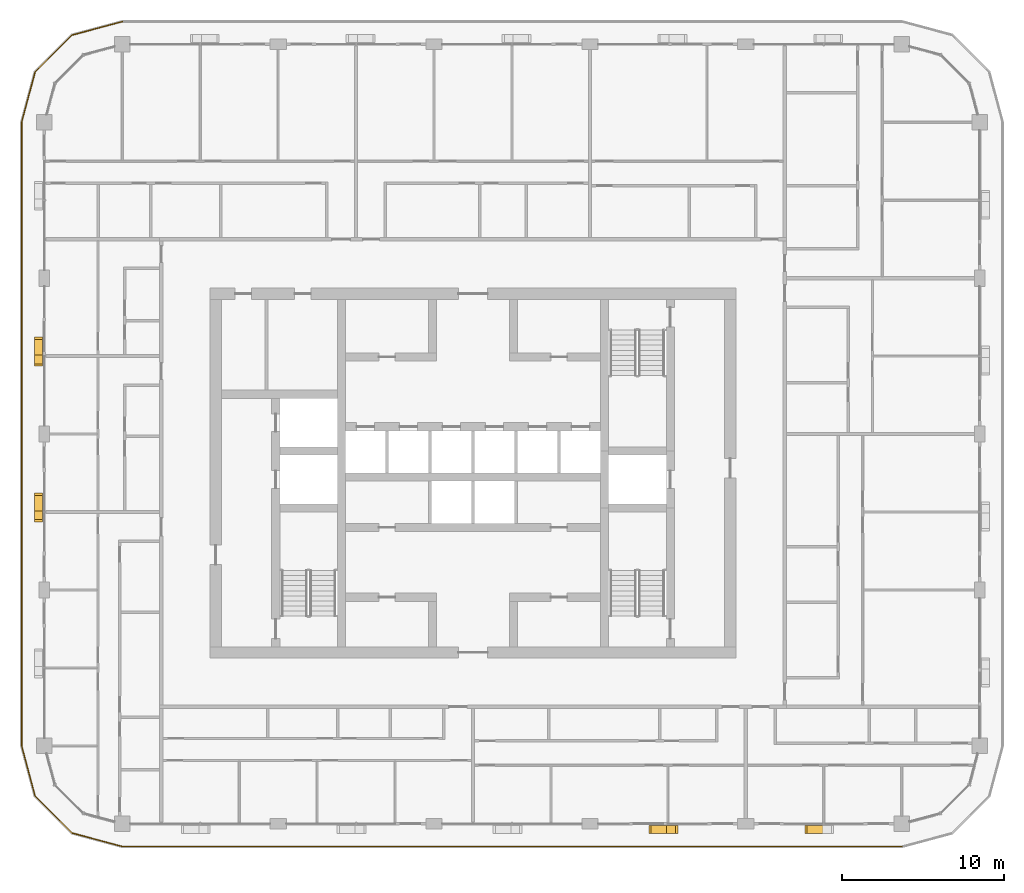
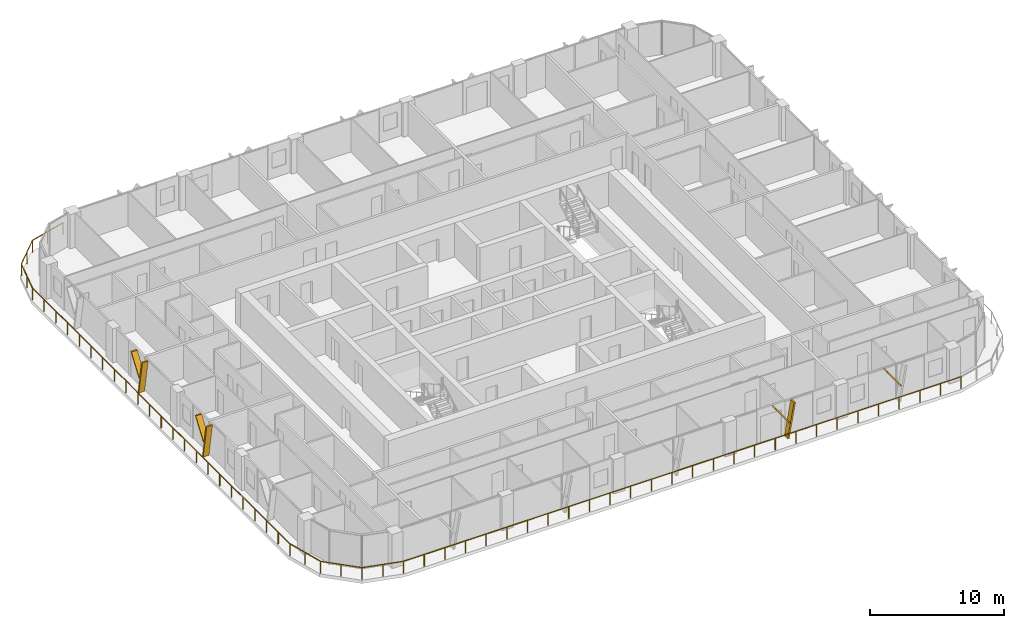
# One storey, part 18 of 22: 7 shading devices, 1 railing.
"""IFC4 building model written with IfcOpenShell, lengths in metres."""

from ifc_helpers import new_model, si_unit, direction, frame, origin, origin_2d, place, context, subcontext, project, spatial, polyline, circle, outline, extrude, material, type_object, element, save


model = new_model("IFC4")

# Units and contexts
model_context = context("Model", 3, precision=1e-05, world=origin(), true_north=direction((0.0, 1.0)))
body_context = subcontext(model_context, "Body", "Model", "MODEL_VIEW")
ifc_project = project(units=[si_unit("LENGTHUNIT", "METRE"), si_unit("AREAUNIT", "SQUARE_METRE"), si_unit("VOLUMEUNIT", "CUBIC_METRE"), si_unit("PLANEANGLEUNIT", "RADIAN"), si_unit("MASSUNIT", "GRAM", prefix="KILO")], contexts=[model_context])

# Site, building, storey
site_placement = place(None, origin())
site = spatial("IfcSite", under=ifc_project, at=site_placement, CompositionType="ELEMENT")
building_placement = place(site_placement, origin())
building = spatial("IfcBuilding", under=site, at=building_placement, Name="Madar Terraces", CompositionType="ELEMENT")
storey_placement = place(building_placement, frame((0.0, 0.0, 229.800048828125)))
storey = spatial("IfcBuildingStorey", under=building, at=storey_placement, Name="L60", CompositionType="ELEMENT", Elevation=229.800048828125)

# Railing
ifc_material_1 = material(Name="Glass, safety glazing, with stainless steel posts", Category="steel")
railing_type = type_object("IfcRailingType", Name="Balcony glass guard 1100", PredefinedType="GUARDRAIL", material=ifc_material_1)
railing_placement = place(storey_placement, frame((9.60009765625, 54.199951171875, 0.0)))
element("IfcRailing", 1, at=railing_placement, inside=storey, type_object=railing_type, Name="Balcony guard", PredefinedType="GUARDRAIL", context=body_context, shape_type="SweptSolid", body=[
    extrude(circle(Radius=0.02392578125, at=origin_2d()), frame((0.0, 0.0, 1.076171875), z_axis=(-0.9659337912, -0.258789317819, 0.0), x_axis=(0.258789317819, -0.9659337912, 0.0)), (0.0, 0.0, 1.0), 3.20947265625),
    extrude(circle(Radius=0.02392578125, at=origin_2d()), frame((-3.10009765625, -0.83056640625, 1.076171875), z_axis=(-0.707106781187, -0.707106781187, 0.0), x_axis=(0.707106781187, -0.707106781187, 0.0)), (0.0, 0.0, 1.0), 3.209228515625),
    extrude(circle(Radius=0.02392578125, at=origin_2d()), frame((-5.369384765625, -3.099853515625, 1.076171875), z_axis=(-0.258860290944, -0.965914773555, 0.0), x_axis=(0.965914773555, -0.258860290944, 0.0)), (0.0, 0.0, 1.0), 3.20947265625),
    extrude(circle(Radius=0.02392578125, at=origin_2d()), frame((-6.2001953125, -6.199951171875, 1.076171875), z_axis=(0.0, -1.0, 0.0), x_axis=(1.0, 0.0, 0.0)), (0.0, 0.0, 1.0), 38.39990234375),
    extrude(circle(Radius=0.02392578125, at=origin_2d()), frame((-6.2001953125, -44.599853515625, 1.076171875), z_axis=(0.258860290944, -0.965914773555, 0.0), x_axis=(0.965914773555, 0.258860290944, 0.0)), (0.0, 0.0, 1.0), 3.20947265625),
    extrude(circle(Radius=0.02392578125, at=origin_2d()), frame((-5.369384765625, -47.699951171875, 1.076171875), z_axis=(0.707106781187, -0.707106781187, 0.0), x_axis=(0.707106781187, 0.707106781187, 0.0)), (0.0, 0.0, 1.0), 3.209228515625),
    extrude(circle(Radius=0.02392578125, at=origin_2d()), frame((-3.10009765625, -49.96923828125, 1.076171875), z_axis=(0.965914773555, -0.258860290944, 0.0), x_axis=(0.258860290944, 0.965914773555, 0.0)), (0.0, 0.0, 1.0), 3.20947265625),
    extrude(circle(Radius=0.02392578125, at=origin_2d()), frame((0.0, -50.800048828125, 1.076171875), z_axis=(1.0, 0.0, 0.0), x_axis=(0.0, 1.0, 0.0)), (0.0, 0.0, 1.0), 48.0),
    extrude(circle(Radius=0.02099609375, at=origin_2d()), origin(), (0.0, 0.0, 1.0), 1.052001953125),
    extrude(circle(Radius=0.02099609375, at=origin_2d()), frame((-1.550048828125, -0.415283203125, 0.0)), (0.0, 0.0, 1.0), 1.052001953125),
    extrude(circle(Radius=0.02099609375, at=origin_2d()), frame((-3.10009765625, -0.83056640625, 0.0)), (0.0, 0.0, 1.0), 1.052001953125),
    extrude(circle(Radius=0.02099609375, at=origin_2d()), frame((-4.23486328125, -1.96533203125, 0.0)), (0.0, 0.0, 1.0), 1.052001953125),
    extrude(circle(Radius=0.02099609375, at=origin_2d()), frame((-5.369384765625, -3.099853515625, 0.0)), (0.0, 0.0, 1.0), 1.052001953125),
    extrude(circle(Radius=0.02099609375, at=origin_2d()), frame((-5.78466796875, -4.64990234375, 0.0)), (0.0, 0.0, 1.0), 1.052001953125),
    extrude(circle(Radius=0.02099609375, at=origin_2d()), frame((-6.2001953125, -6.199951171875, 0.0)), (0.0, 0.0, 1.0), 1.052001953125),
    extrude(circle(Radius=0.02099609375, at=origin_2d()), frame((-6.2001953125, -7.9453125, 0.0)), (0.0, 0.0, 1.0), 1.052001953125),
    extrude(circle(Radius=0.02099609375, at=origin_2d()), frame((-6.2001953125, -9.69091796875, 0.0)), (0.0, 0.0, 1.0), 1.052001953125),
    extrude(circle(Radius=0.02099609375, at=origin_2d()), frame((-6.2001953125, -11.436279296875, 0.0)), (0.0, 0.0, 1.0), 1.052001953125),
    extrude(circle(Radius=0.02099609375, at=origin_2d()), frame((-6.2001953125, -13.181640625, 0.0)), (0.0, 0.0, 1.0), 1.052001953125),
    extrude(circle(Radius=0.02099609375, at=origin_2d()), frame((-6.2001953125, -14.92724609375, 0.0)), (0.0, 0.0, 1.0), 1.052001953125),
    extrude(circle(Radius=0.02099609375, at=origin_2d()), frame((-6.2001953125, -16.672607421875, 0.0)), (0.0, 0.0, 1.0), 1.052001953125),
    extrude(circle(Radius=0.02099609375, at=origin_2d()), frame((-6.2001953125, -18.418212890625, 0.0)), (0.0, 0.0, 1.0), 1.052001953125),
    extrude(circle(Radius=0.02099609375, at=origin_2d()), frame((-6.2001953125, -20.16357421875, 0.0)), (0.0, 0.0, 1.0), 1.052001953125),
    extrude(circle(Radius=0.02099609375, at=origin_2d()), frame((-6.2001953125, -21.908935546875, 0.0)), (0.0, 0.0, 1.0), 1.052001953125),
    extrude(circle(Radius=0.02099609375, at=origin_2d()), frame((-6.2001953125, -23.654541015625, 0.0)), (0.0, 0.0, 1.0), 1.052001953125),
    extrude(circle(Radius=0.02099609375, at=origin_2d()), frame((-6.2001953125, -25.39990234375, 0.0)), (0.0, 0.0, 1.0), 1.052001953125),
    extrude(circle(Radius=0.02099609375, at=origin_2d()), frame((-6.2001953125, -27.145263671875, 0.0)), (0.0, 0.0, 1.0), 1.052001953125),
    extrude(circle(Radius=0.02099609375, at=origin_2d()), frame((-6.2001953125, -28.890869140625, 0.0)), (0.0, 0.0, 1.0), 1.052001953125),
    extrude(circle(Radius=0.02099609375, at=origin_2d()), frame((-6.2001953125, -30.63623046875, 0.0)), (0.0, 0.0, 1.0), 1.052001953125),
    extrude(circle(Radius=0.02099609375, at=origin_2d()), frame((-6.2001953125, -32.381591796875, 0.0)), (0.0, 0.0, 1.0), 1.052001953125),
    extrude(circle(Radius=0.02099609375, at=origin_2d()), frame((-6.2001953125, -34.127197265625, 0.0)), (0.0, 0.0, 1.0), 1.052001953125),
    extrude(circle(Radius=0.02099609375, at=origin_2d()), frame((-6.2001953125, -35.87255859375, 0.0)), (0.0, 0.0, 1.0), 1.052001953125),
    extrude(circle(Radius=0.02099609375, at=origin_2d()), frame((-6.2001953125, -37.6181640625, 0.0)), (0.0, 0.0, 1.0), 1.052001953125),
    extrude(circle(Radius=0.02099609375, at=origin_2d()), frame((-6.2001953125, -39.363525390625, 0.0)), (0.0, 0.0, 1.0), 1.052001953125),
    extrude(circle(Radius=0.02099609375, at=origin_2d()), frame((-6.2001953125, -41.10888671875, 0.0)), (0.0, 0.0, 1.0), 1.052001953125),
    extrude(circle(Radius=0.02099609375, at=origin_2d()), frame((-6.2001953125, -42.8544921875, 0.0)), (0.0, 0.0, 1.0), 1.052001953125),
    extrude(circle(Radius=0.02099609375, at=origin_2d()), frame((-6.2001953125, -44.599853515625, 0.0)), (0.0, 0.0, 1.0), 1.052001953125),
    extrude(circle(Radius=0.02099609375, at=origin_2d()), frame((-5.78466796875, -46.14990234375, 0.0)), (0.0, 0.0, 1.0), 1.052001953125),
    extrude(circle(Radius=0.02099609375, at=origin_2d()), frame((-5.369384765625, -47.699951171875, 0.0)), (0.0, 0.0, 1.0), 1.052001953125),
    extrude(circle(Radius=0.02099609375, at=origin_2d()), frame((-4.23486328125, -48.83447265625, 0.0)), (0.0, 0.0, 1.0), 1.052001953125),
    extrude(circle(Radius=0.02099609375, at=origin_2d()), frame((-3.10009765625, -49.96923828125, 0.0)), (0.0, 0.0, 1.0), 1.052001953125),
    extrude(circle(Radius=0.02099609375, at=origin_2d()), frame((-1.550048828125, -50.384765625, 0.0)), (0.0, 0.0, 1.0), 1.052001953125),
    extrude(circle(Radius=0.02099609375, at=origin_2d()), frame((0.0, -50.800048828125, 0.0)), (0.0, 0.0, 1.0), 1.052001953125),
    extrude(circle(Radius=0.02099609375, at=origin_2d()), frame((1.77783203125, -50.800048828125, 0.0)), (0.0, 0.0, 1.0), 1.052001953125),
    extrude(circle(Radius=0.02099609375, at=origin_2d()), frame((3.5556640625, -50.800048828125, 0.0)), (0.0, 0.0, 1.0), 1.052001953125),
    extrude(circle(Radius=0.02099609375, at=origin_2d()), frame((5.333251953125, -50.800048828125, 0.0)), (0.0, 0.0, 1.0), 1.052001953125),
    extrude(circle(Radius=0.02099609375, at=origin_2d()), frame((7.111083984375, -50.800048828125, 0.0)), (0.0, 0.0, 1.0), 1.052001953125),
    extrude(circle(Radius=0.02099609375, at=origin_2d()), frame((8.888916015625, -50.800048828125, 0.0)), (0.0, 0.0, 1.0), 1.052001953125),
    extrude(circle(Radius=0.02099609375, at=origin_2d()), frame((10.666748046875, -50.800048828125, 0.0)), (0.0, 0.0, 1.0), 1.052001953125),
    extrude(circle(Radius=0.02099609375, at=origin_2d()), frame((12.4443359375, -50.800048828125, 0.0)), (0.0, 0.0, 1.0), 1.052001953125),
    extrude(circle(Radius=0.02099609375, at=origin_2d()), frame((14.22216796875, -50.800048828125, 0.0)), (0.0, 0.0, 1.0), 1.052001953125),
    extrude(circle(Radius=0.02099609375, at=origin_2d()), frame((16.0, -50.800048828125, 0.0)), (0.0, 0.0, 1.0), 1.052001953125),
    extrude(circle(Radius=0.02099609375, at=origin_2d()), frame((17.77783203125, -50.800048828125, 0.0)), (0.0, 0.0, 1.0), 1.052001953125),
    extrude(circle(Radius=0.02099609375, at=origin_2d()), frame((19.5556640625, -50.800048828125, 0.0)), (0.0, 0.0, 1.0), 1.052001953125),
    extrude(circle(Radius=0.02099609375, at=origin_2d()), frame((21.333251953125, -50.800048828125, 0.0)), (0.0, 0.0, 1.0), 1.052001953125),
    extrude(circle(Radius=0.02099609375, at=origin_2d()), frame((23.111083984375, -50.800048828125, 0.0)), (0.0, 0.0, 1.0), 1.052001953125),
    extrude(circle(Radius=0.02099609375, at=origin_2d()), frame((24.888916015625, -50.800048828125, 0.0)), (0.0, 0.0, 1.0), 1.052001953125),
    extrude(circle(Radius=0.02099609375, at=origin_2d()), frame((26.666748046875, -50.800048828125, 0.0)), (0.0, 0.0, 1.0), 1.052001953125),
    extrude(circle(Radius=0.02099609375, at=origin_2d()), frame((28.4443359375, -50.800048828125, 0.0)), (0.0, 0.0, 1.0), 1.052001953125),
    extrude(circle(Radius=0.02099609375, at=origin_2d()), frame((30.22216796875, -50.800048828125, 0.0)), (0.0, 0.0, 1.0), 1.052001953125),
    extrude(circle(Radius=0.02099609375, at=origin_2d()), frame((32.0, -50.800048828125, 0.0)), (0.0, 0.0, 1.0), 1.052001953125),
    extrude(circle(Radius=0.02099609375, at=origin_2d()), frame((33.77783203125, -50.800048828125, 0.0)), (0.0, 0.0, 1.0), 1.052001953125),
    extrude(circle(Radius=0.02099609375, at=origin_2d()), frame((35.5556640625, -50.800048828125, 0.0)), (0.0, 0.0, 1.0), 1.052001953125),
    extrude(circle(Radius=0.02099609375, at=origin_2d()), frame((37.333251953125, -50.800048828125, 0.0)), (0.0, 0.0, 1.0), 1.052001953125),
    extrude(circle(Radius=0.02099609375, at=origin_2d()), frame((39.111083984375, -50.800048828125, 0.0)), (0.0, 0.0, 1.0), 1.052001953125),
    extrude(circle(Radius=0.02099609375, at=origin_2d()), frame((40.888916015625, -50.800048828125, 0.0)), (0.0, 0.0, 1.0), 1.052001953125),
    extrude(circle(Radius=0.02099609375, at=origin_2d()), frame((42.666748046875, -50.800048828125, 0.0)), (0.0, 0.0, 1.0), 1.052001953125),
    extrude(circle(Radius=0.02099609375, at=origin_2d()), frame((44.4443359375, -50.800048828125, 0.0)), (0.0, 0.0, 1.0), 1.052001953125),
    extrude(circle(Radius=0.02099609375, at=origin_2d()), frame((46.22216796875, -50.800048828125, 0.0)), (0.0, 0.0, 1.0), 1.052001953125),
    extrude(circle(Radius=0.02099609375, at=origin_2d()), frame((48.0, -50.800048828125, 0.0)), (0.0, 0.0, 1.0), 1.052001953125),
])

# Shading devices
ifc_material_2 = material(Name="Aluminium, black anodised", Category="aluminium")
shading_device_type = type_object("IfcShadingDeviceType", Name="Facade fin blade 140 x 500", PredefinedType="USERDEFINED", material=ifc_material_2)
shading_device_1_placement = place(storey_placement, frame((43.1298828125, 4.449951171875, 0.0), z_axis=(0.0, 0.0, 1.0), x_axis=(1.0, 0.0, 0.0)))
element("IfcShadingDevice", 2, at=shading_device_1_placement, inside=storey, type_object=shading_device_type, Name="FIN L60 S4", ObjectType="FIN", PredefinedType="USERDEFINED", context=body_context, shape_type="SweptSolid", body=[
    extrude(outline(polyline([(0.0, 0.0), (0.14013671875, 0.0), (0.68310546875, 3.079833984375), (0.54296875, 3.079833984375), (0.0, 0.0)])), frame((0.0, 0.25, 0.0), z_axis=(0.0, -1.0, 0.0), x_axis=(1.0, 0.0, 0.0)), (0.0, 0.0, 1.0), 0.5),
])
for number, where, z_axis, x_axis, name in (
    (3, (43.234375, 4.449951171875, 1.385986328125), (0.0, 0.0, 1.0), (1.0, 0.0, 0.0), "FIN L60 S4 branch"),
    (4, (52.83447265625, 4.449951171875, 1.385986328125), (0.0, 0.0, 1.0), (1.0, 0.0, 0.0), "FIN L60 S5 branch"),
):
    element("IfcShadingDevice", number, at=place(storey_placement, frame(where, z_axis=z_axis, x_axis=x_axis)), inside=storey, type_object=shading_device_type, Name=name, ObjectType="FIN", PredefinedType="USERDEFINED", context=body_context, shape_type="SweptSolid", body=[
        extrude(outline(polyline([(0.0, 0.0), (0.139892578125, 0.0), (-1.061279296875, 1.69384765625), (-1.201416015625, 1.69384765625), (0.0, 0.0)])), frame((0.0, 0.25, 0.0), z_axis=(0.0, -1.0, 0.0), x_axis=(1.0, 0.0, 0.0)), (0.0, 0.0, 1.0), 0.5),
    ])
shading_device_2_placement = place(storey_placement, frame((4.449951171875, 33.669921875, 0.0), z_axis=(0.0, 0.0, 1.0), x_axis=(0.0, -1.0, 0.0)))
element("IfcShadingDevice", 5, at=shading_device_2_placement, inside=storey, type_object=shading_device_type, Name="FIN L60 W2", ObjectType="FIN", PredefinedType="USERDEFINED", context=body_context, shape_type="SweptSolid", body=[
    extrude(outline(polyline([(0.0, 0.0), (0.139892578125, 0.0), (0.68310546875, 3.079833984375), (0.54296875, 3.079833984375), (0.0, 0.0)])), frame((0.0, 0.25, 0.0), z_axis=(0.0, -1.0, 0.0), x_axis=(1.0, 0.0, 0.0)), (0.0, 0.0, 1.0), 0.5),
])
shading_device_3_placement = place(storey_placement, frame((4.449951171875, 33.565673828125, 1.385986328125), z_axis=(0.0, 0.0, 1.0), x_axis=(0.0, -1.0, 0.0)))
element("IfcShadingDevice", 6, at=shading_device_3_placement, inside=storey, type_object=shading_device_type, Name="FIN L60 W2 branch", ObjectType="FIN", PredefinedType="USERDEFINED", context=body_context, shape_type="SweptSolid", body=[
    extrude(outline(polyline([(0.0, 0.0), (0.14013671875, 0.0), (-1.061279296875, 1.69384765625), (-1.201416015625, 1.69384765625), (0.0, 0.0)])), frame((0.0, 0.25, 0.0), z_axis=(0.0, -1.0, 0.0), x_axis=(1.0, 0.0, 0.0)), (0.0, 0.0, 1.0), 0.5),
])
shading_device_4_placement = place(storey_placement, frame((4.449951171875, 24.070068359375, 0.0), z_axis=(0.0, 0.0, 1.0), x_axis=(0.0, -1.0, 0.0)))
element("IfcShadingDevice", 7, at=shading_device_4_placement, inside=storey, type_object=shading_device_type, Name="FIN L60 W3", ObjectType="FIN", PredefinedType="USERDEFINED", context=body_context, shape_type="SweptSolid", body=[
    extrude(outline(polyline([(0.0, 0.0), (0.14013671875, 0.0), (0.68310546875, 3.079833984375), (0.54296875, 3.079833984375), (0.0, 0.0)])), frame((0.0, 0.25, 0.0), z_axis=(0.0, -1.0, 0.0), x_axis=(1.0, 0.0, 0.0)), (0.0, 0.0, 1.0), 0.5),
])
shading_device_5_placement = place(storey_placement, frame((4.449951171875, 23.965576171875, 1.385986328125), z_axis=(0.0, 0.0, 1.0), x_axis=(0.0, -1.0, 0.0)))
element("IfcShadingDevice", 8, at=shading_device_5_placement, inside=storey, type_object=shading_device_type, Name="FIN L60 W3 branch", ObjectType="FIN", PredefinedType="USERDEFINED", context=body_context, shape_type="SweptSolid", body=[
    extrude(outline(polyline([(0.0, 0.0), (0.139892578125, 0.0), (-1.061279296875, 1.69384765625), (-1.201416015625, 1.69384765625), (0.0, 0.0)])), frame((0.0, 0.25, 0.0), z_axis=(0.0, -1.0, 0.0), x_axis=(1.0, 0.0, 0.0)), (0.0, 0.0, 1.0), 0.5),
])

save(model, "model.ifc")
